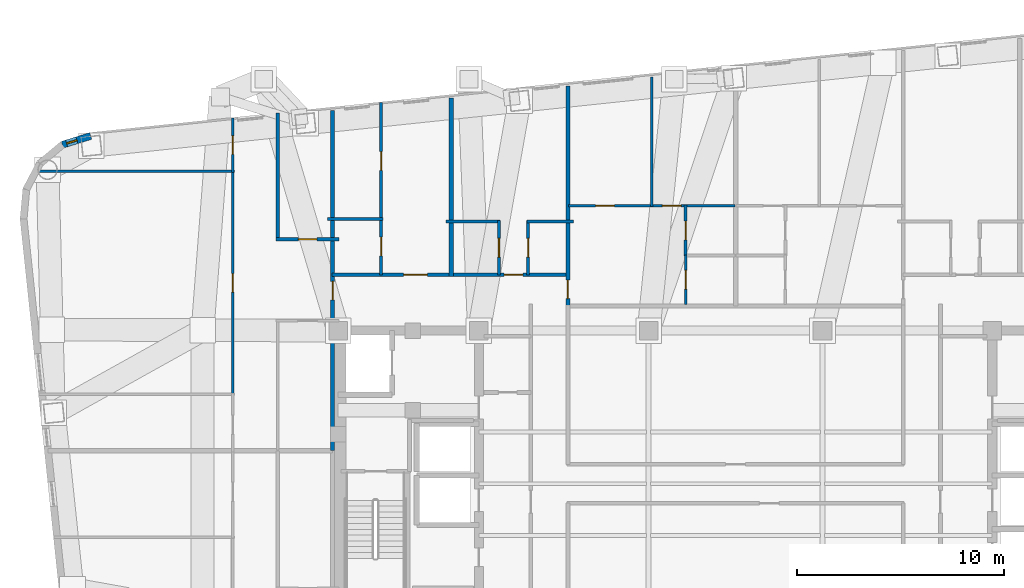
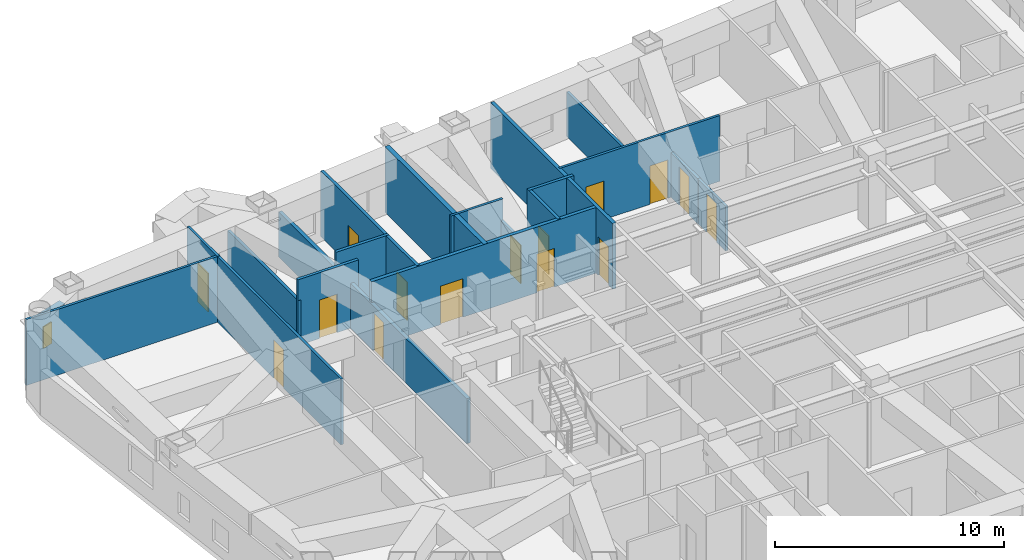
# One storey, part 9 of 13: 21 walls, 15 doors, 1 window, 16 openings.
"""IFC4 building model written with IfcOpenShell, lengths in metres."""

from ifc_helpers import new_model, si_unit, direction, frame, frame_2d, origin, place, context, subcontext, project, spatial, rectangle, extrude, material, layer, layer_set, type_object, element, fill, save


model = new_model("IFC4")

# Units and contexts
model_context = context("Model", 3, precision=1e-05, world=origin(), true_north=direction((0.0, 1.0)))
body_context = subcontext(model_context, "Body", "Model", "MODEL_VIEW")
ifc_project = project(units=[si_unit("LENGTHUNIT", "METRE"), si_unit("AREAUNIT", "SQUARE_METRE"), si_unit("VOLUMEUNIT", "CUBIC_METRE"), si_unit("PLANEANGLEUNIT", "RADIAN"), si_unit("MASSUNIT", "GRAM", prefix="KILO")], contexts=[model_context])

# Site, building, storey
site_placement = place(None, origin())
site = spatial("IfcSite", under=ifc_project, at=site_placement, CompositionType="ELEMENT")
building_placement = place(site_placement, origin())
building = spatial("IfcBuilding", under=site, at=building_placement, Name="Voryun Gate Residences", CompositionType="ELEMENT")
storey_placement = place(building_placement, frame((0.0, 0.0, 191.10009765625)))
storey = spatial("IfcBuildingStorey", under=building, at=storey_placement, Name="L47", CompositionType="ELEMENT", Elevation=191.10009765625)

# Wall, openings, doors
ifc_material_1 = material(Name="Gypsum acoustic fireboard")
ifc_layer_1 = layer(ifc_material_1, 0.179931640625, Name="W_CORR_RATED_180")
ifc_layer_set_1 = layer_set([ifc_layer_1], Name="Gypsum acoustic fireboard")
wall_type_1 = type_object("IfcWallType", Name="W_CORR_RATED_180", PredefinedType="PARTITIONING", material=ifc_layer_set_1)
wall_1_placement = place(storey_placement, frame((-19.5, 10.10009765625, 0.0), z_axis=(0.0, 0.0, 1.0), x_axis=(1.0, 0.0, 0.0)))
wall_1 = element("IfcWall", 1, at=wall_1_placement, inside=storey, type_object=wall_type_1, Name="Partition wall WP-L47-NCORR-W", PredefinedType="PARTITIONING", context=body_context, shape_type="SweptSolid", body=[
    extrude(rectangle(XDim=11.419921875, YDim=0.179931640625, at=frame_2d((5.7099609375, 0.0))), origin(), (0.0, 0.0, 1.0), 3.5),
])
opening_1_placement = place(wall_1_placement, frame((3.46435546875, 0.0, 0.0)))
opening_1 = element("IfcOpeningElement", 2, at=opening_1_placement, cuts=wall_1, Name="Opening D-UNIT-1", PredefinedType="OPENING", context=body_context, shape_type="SweptSolid", body=[
    extrude(rectangle(XDim=1.14990234375, YDim=2.050048828125, at=frame_2d((0.574951171875, 1.02490234375))), frame((0.0, 0.099853515625, 0.0), z_axis=(0.0, -1.0, 0.0), x_axis=(1.0, 0.0, 0.0)), (0.0, 0.0, 1.0), 0.199951171875),
])
opening_2_placement = place(wall_1_placement, frame((8.32275390625, 0.0, 0.0)))
opening_2 = element("IfcOpeningElement", 3, at=opening_2_placement, cuts=wall_1, Name="Opening D-INT-2", PredefinedType="OPENING", context=body_context, shape_type="SweptSolid", body=[
    extrude(rectangle(XDim=0.89990234375, YDim=2.050048828125, at=frame_2d((0.449951171875, 1.02490234375))), frame((0.0, 0.099853515625, 0.0), z_axis=(0.0, -1.0, 0.0), x_axis=(1.0, 0.0, 0.0)), (0.0, 0.0, 1.0), 0.199951171875),
])
ifc_material_2 = material(Name="Architectural oak veneer")
door_type_1 = type_object("IfcDoorType", Name="DR_INT_BATH_900", OperationType="NOTDEFINED", PredefinedType="DOOR", material=ifc_material_2)
door_1_placement = place(opening_2_placement, origin())
door_1 = element("IfcDoor", 4, at=door_1_placement, inside=storey, type_object=door_type_1, Name="Door DR-L47-NENT-2", OperationType="SINGLE_SWING_RIGHT", OverallHeight=2.050048828125, OverallWidth=0.89990234375, PredefinedType="DOOR", context=body_context, shape_type="SweptSolid", body=[
    extrude(rectangle(XDim=0.89990234375, YDim=2.050048828125, at=frame_2d((0.449951171875, 1.02490234375))), frame((0.0, 0.02490234375, 0.0), z_axis=(0.0, -1.0, 0.0), x_axis=(1.0, 0.0, 0.0)), (0.0, 0.0, 1.0), 0.050048828125),
])
fill(opening_2, door_1)
ifc_material_3 = material(Name="Armoured timber-clad fire door", Category="wood")
door_type_2 = type_object("IfcDoorType", Name="DR_UNIT_ENTRY_1150", OperationType="NOTDEFINED", PredefinedType="DOOR", material=ifc_material_3)
door_2_placement = place(opening_1_placement, origin())
door_2 = element("IfcDoor", 5, at=door_2_placement, inside=storey, type_object=door_type_2, Name="Door DR-L47-NENT-1", OperationType="SINGLE_SWING_LEFT", OverallHeight=2.050048828125, OverallWidth=1.14990234375, PredefinedType="DOOR", context=body_context, shape_type="SweptSolid", body=[
    extrude(rectangle(XDim=1.14990234375, YDim=2.050048828125, at=frame_2d((0.574951171875, 1.02490234375))), frame((0.0, 0.02490234375, 0.0), z_axis=(0.0, -1.0, 0.0), x_axis=(1.0, 0.0, 0.0)), (0.0, 0.0, 1.0), 0.050048828125),
])
fill(opening_1, door_2)

# Wall, opening, door
wall_2_placement = place(storey_placement, frame((-8.10009765625, 8.590087890625, 0.0), z_axis=(0.0, 0.0, 1.0), x_axis=(0.0, 1.0, 0.0)))
wall_2 = element("IfcWall", 6, at=wall_2_placement, inside=storey, type_object=wall_type_1, Name="Partition wall WP-L47-NZV-1", PredefinedType="PARTITIONING", context=body_context, shape_type="SweptSolid", body=[
    extrude(rectangle(XDim=10.63623046875, YDim=0.179931640625, at=frame_2d((5.318115234375, 0.0))), origin(), (0.0, 0.0, 1.0), 3.5),
])
opening_3_placement = place(wall_2_placement, frame((0.349853515625, 0.0, 0.0)))
opening_3 = element("IfcOpeningElement", 7, at=opening_3_placement, cuts=wall_2, Name="Opening D-INT-2", PredefinedType="OPENING", context=body_context, shape_type="SweptSolid", body=[
    extrude(rectangle(XDim=0.89990234375, YDim=2.050048828125, at=frame_2d((0.449951171875, 1.02490234375))), frame((0.0, 0.099853515625, 0.0), z_axis=(0.0, -1.0, 0.0), x_axis=(1.0, 0.0, 0.0)), (0.0, 0.0, 1.0), 0.199951171875),
])
door_3_placement = place(opening_3_placement, origin())
door_3 = element("IfcDoor", 8, at=door_3_placement, inside=storey, type_object=door_type_1, Name="Door DR-L47-NZENT-1", OperationType="SINGLE_SWING_LEFT", OverallHeight=2.050048828125, OverallWidth=0.89990234375, PredefinedType="DOOR", context=body_context, shape_type="SweptSolid", body=[
    extrude(rectangle(XDim=0.89990234375, YDim=2.050048828125, at=frame_2d((0.449951171875, 1.02490234375))), frame((0.0, 0.02490234375, 0.0), z_axis=(0.0, -1.0, 0.0), x_axis=(1.0, 0.0, 0.0)), (0.0, 0.0, 1.0), 0.050048828125),
])
fill(opening_3, door_3)

wall_3_placement = place(storey_placement, frame((-19.469970703125, 1.60009765625, 0.0), z_axis=(0.0, 0.0, 1.0), x_axis=(0.0, 1.0, 0.0)))
wall_3 = element("IfcWall", 9, at=wall_3_placement, inside=storey, type_object=wall_type_1, Name="Partition wall WP-L47-WCOR2", PredefinedType="PARTITIONING", context=body_context, shape_type="SweptSolid", body=[
    extrude(rectangle(XDim=16.431396484375, YDim=0.179931640625, at=frame_2d((8.2158203125, 0.0))), origin(), (0.0, 0.0, 1.0), 2.389892578125),
])
opening_4_placement = place(wall_3_placement, frame((7.279296875, 0.0, 0.0)))
opening_4 = element("IfcOpeningElement", 10, at=opening_4_placement, cuts=wall_3, Name="Opening D-INT-2", PredefinedType="OPENING", context=body_context, shape_type="SweptSolid", body=[
    extrude(rectangle(XDim=0.89990234375, YDim=2.050048828125, at=frame_2d((0.449951171875, 1.02490234375))), frame((0.0, 0.099853515625, 0.0), z_axis=(0.0, -1.0, 0.0), x_axis=(1.0, 0.0, 0.0)), (0.0, 0.0, 1.0), 0.199951171875),
])
door_4_placement = place(opening_4_placement, origin())
door_4 = element("IfcDoor", 11, at=door_4_placement, inside=storey, type_object=door_type_1, Name="Door DR-L47-WE2", OperationType="SINGLE_SWING_RIGHT", OverallHeight=2.050048828125, OverallWidth=0.89990234375, PredefinedType="DOOR", context=body_context, shape_type="SweptSolid", body=[
    extrude(rectangle(XDim=0.89990234375, YDim=2.050048828125, at=frame_2d((0.449951171875, 1.02490234375))), frame((0.0, 0.02490234375, 0.0), z_axis=(0.0, -1.0, 0.0), x_axis=(1.0, 0.0, 0.0)), (0.0, 0.0, 1.0), 0.050048828125),
])
fill(opening_4, door_4)

# Wall, opening, window
ifc_material_4 = material(Name="Charcoal terracotta masonry", Category="masonry")
ifc_layer_2 = layer(ifc_material_4, 0.340087890625, Name="W_EXT_TERRACOTTA_340")
ifc_layer_set_2 = layer_set([ifc_layer_2], Name="Charcoal terracotta masonry")
wall_type_2 = type_object("IfcWallType", Name="W_EXT_TERRACOTTA_340", PredefinedType="ELEMENTEDWALL", material=ifc_layer_set_2)
wall_4_placement = place(storey_placement, frame((-32.523193359375, 16.37841796875, 0.0), z_axis=(0.0, 0.0, 1.0), x_axis=(0.9549942197, 0.296624409546, 0.0)))
wall_4 = element("IfcWall", 12, at=wall_4_placement, inside=storey, type_object=wall_type_2, Name="Exterior wall WEXT-L47-10", PredefinedType="ELEMENTEDWALL", context=body_context, shape_type="SweptSolid", body=[
    extrude(rectangle(XDim=1.43212890625, YDim=0.340087890625, at=frame_2d((0.716064453125, 0.0))), origin(), (0.0, 0.0, 1.0), 2.389892578125),
])
opening_5_placement = place(wall_4_placement, frame((0.216064453125, 0.0, 0.550048828125)))
opening_5 = element("IfcOpeningElement", 13, at=opening_5_placement, cuts=wall_4, Name="Opening WN10", PredefinedType="OPENING", context=body_context, shape_type="SweptSolid", body=[
    extrude(rectangle(XDim=0.52001953125, YDim=1.14990234375, at=frame_2d((0.260009765625, 0.574951171875))), frame((0.0, 0.179931640625, 0.0), z_axis=(0.0, -1.0, 0.0), x_axis=(1.0, 0.0, 0.0)), (0.0, 0.0, 1.0), 0.360107421875),
])
ifc_material_5 = material(Name="Laminated low-E glass", Category="glass")
window_type = type_object("IfcWindowType", Name="WN_PAGODA_LANCET_520", PartitioningType="SINGLE_PANEL", PredefinedType="WINDOW", material=ifc_material_5)
window_placement = place(opening_5_placement, origin())
window = element("IfcWindow", 14, at=window_placement, inside=storey, type_object=window_type, Name="Window WN-L47-DWFIX-24", OverallHeight=1.14990234375, OverallWidth=0.52001953125, PartitioningType="SINGLE_PANEL", PredefinedType="WINDOW", context=body_context, shape_type="SweptSolid", body=[
    extrude(rectangle(XDim=0.52001953125, YDim=1.14990234375, at=frame_2d((0.260009765625, 0.574951171875))), frame((0.0, 0.030029296875, 0.0), z_axis=(0.0, -1.0, 0.0), x_axis=(1.0, 0.0, 0.0)), (0.0, 0.0, 1.0), 0.06005859375),
])
fill(opening_5, window)

# Wall
ifc_material_6 = material(Name="Concrete C40/50", Category="concrete")
ifc_layer_3 = layer(ifc_material_6, 0.219970703125, Name="W_PARTY_ACOUSTIC_220")
ifc_layer_set_3 = layer_set([ifc_layer_3], Name="Concrete C40/50")
wall_type_3 = type_object("IfcWallType", Name="W_PARTY_ACOUSTIC_220", PredefinedType="PARTITIONING", material=ifc_layer_set_3)
wall_5_placement = place(storey_placement, frame((-13.739990234375, 10.02001953125, 0.0), z_axis=(0.0, 0.0, 1.0), x_axis=(0.0, 1.0, 0.0)))
element("IfcWall", 15, at=wall_5_placement, inside=storey, type_object=wall_type_3, Name="Partition wall WP-L47-NPTY-1", PredefinedType="PARTITIONING", context=body_context, shape_type="SweptSolid", body=[
    extrude(rectangle(XDim=8.613525390625, YDim=0.219970703125, at=frame_2d((4.306640625, 0.0))), origin(), (0.0, 0.0, 1.0), 3.5),
])

# Wall, opening, door
ifc_material_7 = material(Name="Gypsum acoustic partition")
ifc_layer_4 = layer(ifc_material_7, 0.125, Name="W_UNIT_PART_125")
ifc_layer_set_4 = layer_set([ifc_layer_4], Name="Gypsum acoustic partition")
wall_type_4 = type_object("IfcWallType", Name="W_UNIT_PART_125", PredefinedType="PARTITIONING", material=ifc_layer_set_4)
wall_6_placement = place(storey_placement, frame((-11.429931640625, 10.080078125, 0.0), z_axis=(0.0, 0.0, 1.0), x_axis=(0.0, 1.0, 0.0)))
wall_6 = element("IfcWall", 16, at=wall_6_placement, inside=storey, type_object=wall_type_4, Name="Partition wall WP-L47-N2-CVK", PredefinedType="PARTITIONING", context=body_context, shape_type="SweptSolid", body=[
    extrude(rectangle(XDim=2.64990234375, YDim=0.125, at=frame_2d((1.324951171875, 0.0))), origin(), (0.0, 0.0, 1.0), 2.389892578125),
])
opening_6_placement = place(wall_6_placement, frame((0.875, 0.0, 0.0)))
opening_6 = element("IfcOpeningElement", 17, at=opening_6_placement, cuts=wall_6, Name="Opening D-INT-2", PredefinedType="OPENING", context=body_context, shape_type="SweptSolid", body=[
    extrude(rectangle(XDim=0.89990234375, YDim=2.050048828125, at=frame_2d((0.449951171875, 1.02490234375))), frame((0.0, 0.072509765625, 0.0), z_axis=(0.0, -1.0, 0.0), x_axis=(1.0, 0.0, 0.0)), (0.0, 0.0, 1.0), 0.14501953125),
])
door_5_placement = place(opening_6_placement, origin())
door_5 = element("IfcDoor", 18, at=door_5_placement, inside=storey, type_object=door_type_1, Name="Door DR-L47-N2-DK", OperationType="SINGLE_SWING_LEFT", OverallHeight=2.050048828125, OverallWidth=0.89990234375, PredefinedType="DOOR", context=body_context, shape_type="SweptSolid", body=[
    extrude(rectangle(XDim=0.89990234375, YDim=2.050048828125, at=frame_2d((0.449951171875, 1.02490234375))), frame((0.0, 0.02490234375, 0.0), z_axis=(0.0, -1.0, 0.0), x_axis=(1.0, 0.0, 0.0)), (0.0, 0.0, 1.0), 0.050048828125),
])
fill(opening_6, door_5)

# Wall
wall_7_placement = place(storey_placement, frame((-14.0, 12.669921875, 0.0), z_axis=(0.0, 0.0, 1.0), x_axis=(1.0, 0.0, 0.0)))
element("IfcWall", 19, at=wall_7_placement, inside=storey, type_object=wall_type_4, Name="Partition wall WP-L47-N2-CHK", PredefinedType="PARTITIONING", context=body_context, shape_type="SweptSolid", body=[
    extrude(rectangle(XDim=2.6298828125, YDim=0.125, at=frame_2d((1.31494140625, 0.0))), origin(), (0.0, 0.0, 1.0), 3.5),
])

# Wall, openings, doors
wall_8_placement = place(storey_placement, frame((-8.080078125, 13.429931640625, 0.0), z_axis=(0.0, 0.0, 1.0), x_axis=(1.0, 0.0, 0.0)))
wall_8 = element("IfcWall", 20, at=wall_8_placement, inside=storey, type_object=wall_type_4, Name="Partition wall WP-L47-NC1-HZ", PredefinedType="PARTITIONING", context=body_context, shape_type="SweptSolid", body=[
    extrude(rectangle(XDim=8.06005859375, YDim=0.125, at=frame_2d((4.030029296875, 0.0))), origin(), (0.0, 0.0, 1.0), 3.5),
])
opening_7_placement = place(wall_8_placement, frame((1.3232421875, 0.0, 0.0)))
opening_7 = element("IfcOpeningElement", 21, at=opening_7_placement, cuts=wall_8, Name="Opening D-INT-2", PredefinedType="OPENING", context=body_context, shape_type="SweptSolid", body=[
    extrude(rectangle(XDim=0.89990234375, YDim=2.050048828125, at=frame_2d((0.449951171875, 1.02490234375))), frame((0.0, 0.072509765625, 0.0), z_axis=(0.0, -1.0, 0.0), x_axis=(1.0, 0.0, 0.0)), (0.0, 0.0, 1.0), 0.14501953125),
])
opening_8_placement = place(wall_8_placement, frame((4.547119140625, 0.0, 0.0)))
opening_8 = element("IfcOpeningElement", 22, at=opening_8_placement, cuts=wall_8, Name="Opening D-INT-2", PredefinedType="OPENING", context=body_context, shape_type="SweptSolid", body=[
    extrude(rectangle(XDim=0.89990234375, YDim=2.050048828125, at=frame_2d((0.449951171875, 1.02490234375))), frame((0.0, 0.072509765625, 0.0), z_axis=(0.0, -1.0, 0.0), x_axis=(1.0, 0.0, 0.0)), (0.0, 0.0, 1.0), 0.14501953125),
])
door_6_placement = place(opening_7_placement, origin())
door_6 = element("IfcDoor", 23, at=door_6_placement, inside=storey, type_object=door_type_1, Name="Door DR-L47-NC1-DMB", OperationType="SINGLE_SWING_LEFT", OverallHeight=2.050048828125, OverallWidth=0.89990234375, PredefinedType="DOOR", context=body_context, shape_type="SweptSolid", body=[
    extrude(rectangle(XDim=0.89990234375, YDim=2.050048828125, at=frame_2d((0.449951171875, 1.02490234375))), frame((0.0, 0.02490234375, 0.0), z_axis=(0.0, -1.0, 0.0), x_axis=(1.0, 0.0, 0.0)), (0.0, 0.0, 1.0), 0.050048828125),
])
fill(opening_7, door_6)
door_7_placement = place(opening_8_placement, origin())
door_7 = element("IfcDoor", 24, at=door_7_placement, inside=storey, type_object=door_type_1, Name="Door DR-L47-NC1-DBD2", OperationType="SINGLE_SWING_RIGHT", OverallHeight=2.050048828125, OverallWidth=0.89990234375, PredefinedType="DOOR", context=body_context, shape_type="SweptSolid", body=[
    extrude(rectangle(XDim=0.89990234375, YDim=2.050048828125, at=frame_2d((0.449951171875, 1.02490234375))), frame((0.0, 0.02490234375, 0.0), z_axis=(0.0, -1.0, 0.0), x_axis=(1.0, 0.0, 0.0)), (0.0, 0.0, 1.0), 0.050048828125),
])
fill(opening_8, door_7)

# Wall, opening, door
wall_9_placement = place(storey_placement, frame((-2.409912109375, 8.64990234375, 0.0), z_axis=(0.0, 0.0, 1.0), x_axis=(0.0, 1.0, 0.0)))
wall_9 = element("IfcWall", 25, at=wall_9_placement, inside=storey, type_object=wall_type_4, Name="Partition wall WP-L47-NC1-VK1", PredefinedType="PARTITIONING", context=body_context, shape_type="SweptSolid", body=[
    extrude(rectangle(XDim=2.41015625, YDim=0.125, at=frame_2d((1.205078125, 0.0))), origin(), (0.0, 0.0, 1.0), 2.389892578125),
])
opening_9_placement = place(wall_9_placement, frame((0.7548828125, 0.0, 0.0)))
opening_9 = element("IfcOpeningElement", 26, at=opening_9_placement, cuts=wall_9, Name="Opening D-INT-2", PredefinedType="OPENING", context=body_context, shape_type="SweptSolid", body=[
    extrude(rectangle(XDim=0.89990234375, YDim=2.050048828125, at=frame_2d((0.449951171875, 1.02490234375))), frame((0.0, 0.072509765625, 0.0), z_axis=(0.0, -1.0, 0.0), x_axis=(1.0, 0.0, 0.0)), (0.0, 0.0, 1.0), 0.14501953125),
])
door_8_placement = place(opening_9_placement, origin())
door_8 = element("IfcDoor", 27, at=door_8_placement, inside=storey, type_object=door_type_1, Name="Door DR-L47-NC1-DK", OperationType="SINGLE_SWING_LEFT", OverallHeight=2.050048828125, OverallWidth=0.89990234375, PredefinedType="DOOR", context=body_context, shape_type="SweptSolid", body=[
    extrude(rectangle(XDim=0.89990234375, YDim=2.050048828125, at=frame_2d((0.449951171875, 1.02490234375))), frame((0.0, 0.02490234375, 0.0), z_axis=(0.0, -1.0, 0.0), x_axis=(1.0, 0.0, 0.0)), (0.0, 0.0, 1.0), 0.050048828125),
])
fill(opening_9, door_8)

# Walls
wall_10_placement = place(storey_placement, frame((-4.050048828125, 13.389892578125, 0.0), z_axis=(0.0, 0.0, 1.0), x_axis=(0.0, 1.0, 0.0)))
element("IfcWall", 28, at=wall_10_placement, inside=storey, type_object=wall_type_4, Name="Partition wall WP-L47-NC1-VBD", PredefinedType="PARTITIONING", context=body_context, shape_type="SweptSolid", body=[
    extrude(rectangle(XDim=6.26220703125, YDim=0.125, at=frame_2d((3.131103515625, 0.0))), origin(), (0.0, 0.0, 1.0), 2.389892578125),
])
wall_11_placement = place(storey_placement, frame((-33.978271484375, 15.097900390625, 0.0), z_axis=(0.0, 0.0, 1.0), x_axis=(1.0, 0.0, 0.0)))
element("IfcWall", 29, at=wall_11_placement, inside=storey, type_object=wall_type_4, Name="Partition wall WP-L47-W2-OH2", PredefinedType="PARTITIONING", context=body_context, shape_type="SweptSolid", body=[
    extrude(rectangle(XDim=9.75830078125, YDim=0.125, at=frame_2d((4.879150390625, 0.0))), origin(), (0.0, 0.0, 1.0), 3.5),
])

# Wall, opening, door
wall_12_placement = place(storey_placement, frame((-24.300048828125, 4.264892578125, 0.0), z_axis=(0.0, 0.0, 1.0), x_axis=(0.0, 1.0, 0.0)))
wall_12 = element("IfcWall", 30, at=wall_12_placement, inside=storey, type_object=wall_type_4, Name="Partition wall WP-L47-W2-OVX2", PredefinedType="PARTITIONING", context=body_context, shape_type="SweptSolid", body=[
    extrude(rectangle(XDim=10.883056640625, YDim=0.125, at=frame_2d((5.44140625, 0.0))), origin(), (0.0, 0.0, 1.0), 3.5),
])
opening_10_placement = place(wall_12_placement, frame((4.991455078125, 0.0, 0.0)))
opening_10 = element("IfcOpeningElement", 31, at=opening_10_placement, cuts=wall_12, Name="Opening D-INT-2", PredefinedType="OPENING", context=body_context, shape_type="SweptSolid", body=[
    extrude(rectangle(XDim=0.89990234375, YDim=2.050048828125, at=frame_2d((0.449951171875, 1.02490234375))), frame((0.0, 0.072509765625, 0.0), z_axis=(0.0, -1.0, 0.0), x_axis=(1.0, 0.0, 0.0)), (0.0, 0.0, 1.0), 0.14501953125),
])
door_9_placement = place(opening_10_placement, origin())
door_9 = element("IfcDoor", 32, at=door_9_placement, inside=storey, type_object=door_type_1, Name="Door DR-L47-W2-DSTD", OperationType="SINGLE_SWING_RIGHT", OverallHeight=2.050048828125, OverallWidth=0.89990234375, PredefinedType="DOOR", context=body_context, shape_type="SweptSolid", body=[
    extrude(rectangle(XDim=0.89990234375, YDim=2.050048828125, at=frame_2d((0.449951171875, 1.02490234375))), frame((0.0, 0.02490234375, 0.0), z_axis=(0.0, -1.0, 0.0), x_axis=(1.0, 0.0, 0.0)), (0.0, 0.0, 1.0), 0.050048828125),
])
fill(opening_10, door_9)

wall_13_placement = place(storey_placement, frame((-24.300048828125, 15.048095703125, 0.0), z_axis=(0.0, 0.0, 1.0), x_axis=(0.0, 1.0, 0.0)))
wall_13 = element("IfcWall", 33, at=wall_13_placement, inside=storey, type_object=wall_type_4, Name="Partition wall WP-L47-W2-OVX3", PredefinedType="PARTITIONING", context=body_context, shape_type="SweptSolid", body=[
    extrude(rectangle(XDim=2.62646484375, YDim=0.125, at=frame_2d((1.313232421875, 0.0))), origin(), (0.0, 0.0, 1.0), 3.5),
])
opening_11_placement = place(wall_13_placement, frame((0.86328125, 0.0, 0.0)))
opening_11 = element("IfcOpeningElement", 34, at=opening_11_placement, cuts=wall_13, Name="Opening D-INT-2", PredefinedType="OPENING", context=body_context, shape_type="SweptSolid", body=[
    extrude(rectangle(XDim=0.89990234375, YDim=2.050048828125, at=frame_2d((0.449951171875, 1.02490234375))), frame((0.0, 0.072509765625, 0.0), z_axis=(0.0, -1.0, 0.0), x_axis=(1.0, 0.0, 0.0)), (0.0, 0.0, 1.0), 0.14501953125),
])
door_10_placement = place(opening_11_placement, origin())
door_10 = element("IfcDoor", 35, at=door_10_placement, inside=storey, type_object=door_type_1, Name="Door DR-L47-W2-DMB", OperationType="SINGLE_SWING_LEFT", OverallHeight=2.050048828125, OverallWidth=0.89990234375, PredefinedType="DOOR", context=body_context, shape_type="SweptSolid", body=[
    extrude(rectangle(XDim=0.89990234375, YDim=2.050048828125, at=frame_2d((0.449951171875, 1.02490234375))), frame((0.0, 0.02490234375, 0.0), z_axis=(0.0, -1.0, 0.0), x_axis=(1.0, 0.0, 0.0)), (0.0, 0.0, 1.0), 0.050048828125),
])
fill(opening_11, door_10)

# Wall
ifc_material_8 = material(Name="Gypsum moisture-resistant partition")
ifc_layer_5 = layer(ifc_material_8, 0.14990234375, Name="W_WET_PLUMB_150")
ifc_layer_set_5 = layer_set([ifc_layer_5], Name="Gypsum moisture-resistant partition")
wall_type_5 = type_object("IfcWallType", Name="W_WET_PLUMB_150", PredefinedType="PLUMBINGWALL", material=ifc_layer_set_5)
wall_14_placement = place(storey_placement, frame((-19.719970703125, 12.800048828125, 0.0), z_axis=(0.0, 0.0, 1.0), x_axis=(1.0, 0.0, 0.0)))
element("IfcWall", 36, at=wall_14_placement, inside=storey, type_object=wall_type_5, Name="Partition wall WP-L47-N1-SKB", PredefinedType="PLUMBINGWALL", context=body_context, shape_type="SweptSolid", body=[
    extrude(rectangle(XDim=2.678955078125, YDim=0.14990234375, at=frame_2d((1.33935546875, 0.0))), origin(), (0.0, 0.0, 1.0), 3.5),
])

# Wall, opening, door
wall_15_placement = place(storey_placement, frame((-17.12109375, 10.080078125, 0.0), z_axis=(0.0, 0.0, 1.0), x_axis=(0.0, 1.0, 0.0)))
wall_15 = element("IfcWall", 37, at=wall_15_placement, inside=storey, type_object=wall_type_5, Name="Partition wall WP-L47-N1-SVT1", PredefinedType="PLUMBINGWALL", context=body_context, shape_type="SweptSolid", body=[
    extrude(rectangle(XDim=2.760009765625, YDim=0.14990234375, at=frame_2d((1.3798828125, 0.0))), origin(), (0.0, 0.0, 1.0), 3.5),
])
opening_12_placement = place(wall_15_placement, frame((0.929931640625, 0.0, 0.0)))
opening_12 = element("IfcOpeningElement", 38, at=opening_12_placement, cuts=wall_15, Name="Opening D-INT-2", PredefinedType="OPENING", context=body_context, shape_type="SweptSolid", body=[
    extrude(rectangle(XDim=0.89990234375, YDim=2.050048828125, at=frame_2d((0.449951171875, 1.02490234375))), frame((0.0, 0.0849609375, 0.0), z_axis=(0.0, -1.0, 0.0), x_axis=(1.0, 0.0, 0.0)), (0.0, 0.0, 1.0), 0.169921875),
])
door_11_placement = place(opening_12_placement, origin())
door_11 = element("IfcDoor", 39, at=door_11_placement, inside=storey, type_object=door_type_1, Name="Door DR-L47-N1-DB", OperationType="SINGLE_SWING_LEFT", OverallHeight=2.050048828125, OverallWidth=0.89990234375, PredefinedType="DOOR", context=body_context, shape_type="SweptSolid", body=[
    extrude(rectangle(XDim=0.89990234375, YDim=2.050048828125, at=frame_2d((0.449951171875, 1.02490234375))), frame((0.0, 0.02490234375, 0.0), z_axis=(0.0, -1.0, 0.0), x_axis=(1.0, 0.0, 0.0)), (0.0, 0.0, 1.0), 0.050048828125),
])
fill(opening_12, door_11)

wall_16_placement = place(storey_placement, frame((-17.12109375, 12.760009765625, 0.0), z_axis=(0.0, 0.0, 1.0), x_axis=(0.0, 1.0, 0.0)))
wall_16 = element("IfcWall", 40, at=wall_16_placement, inside=storey, type_object=wall_type_5, Name="Partition wall WP-L47-N1-SVT2", PredefinedType="PLUMBINGWALL", context=body_context, shape_type="SweptSolid", body=[
    extrude(rectangle(XDim=5.669189453125, YDim=0.14990234375, at=frame_2d((2.83447265625, 0.0))), origin(), (0.0, 0.0, 1.0), 3.5),
])
opening_13_placement = place(wall_16_placement, frame((2.384521484375, 0.0, 0.0)))
opening_13 = element("IfcOpeningElement", 41, at=opening_13_placement, cuts=wall_16, Name="Opening D-INT-2", PredefinedType="OPENING", context=body_context, shape_type="SweptSolid", body=[
    extrude(rectangle(XDim=0.89990234375, YDim=2.050048828125, at=frame_2d((0.449951171875, 1.02490234375))), frame((0.0, 0.0849609375, 0.0), z_axis=(0.0, -1.0, 0.0), x_axis=(1.0, 0.0, 0.0)), (0.0, 0.0, 1.0), 0.169921875),
])
door_12_placement = place(opening_13_placement, origin())
door_12 = element("IfcDoor", 42, at=door_12_placement, inside=storey, type_object=door_type_1, Name="Door DR-L47-N1-DK", OperationType="SINGLE_SWING_RIGHT", OverallHeight=2.050048828125, OverallWidth=0.89990234375, PredefinedType="DOOR", context=body_context, shape_type="SweptSolid", body=[
    extrude(rectangle(XDim=0.89990234375, YDim=2.050048828125, at=frame_2d((0.449951171875, 1.02490234375))), frame((0.0, 0.02490234375, 0.0), z_axis=(0.0, -1.0, 0.0), x_axis=(1.0, 0.0, 0.0)), (0.0, 0.0, 1.0), 0.050048828125),
])
fill(opening_13, door_12)

wall_17_placement = place(storey_placement, frame((-10.02392578125, 10.080078125, 0.0), z_axis=(0.0, 0.0, 1.0), x_axis=(0.0, 1.0, 0.0)))
wall_17 = element("IfcWall", 43, at=wall_17_placement, inside=storey, type_object=wall_type_5, Name="Partition wall WP-L47-N2-CVB", PredefinedType="PLUMBINGWALL", context=body_context, shape_type="SweptSolid", body=[
    extrude(rectangle(XDim=2.64990234375, YDim=0.14990234375, at=frame_2d((1.324951171875, 0.0))), origin(), (0.0, 0.0, 1.0), 3.5),
])
opening_14_placement = place(wall_17_placement, frame((0.875, 0.0, 0.0)))
opening_14 = element("IfcOpeningElement", 44, at=opening_14_placement, cuts=wall_17, Name="Opening D-INT-2", PredefinedType="OPENING", context=body_context, shape_type="SweptSolid", body=[
    extrude(rectangle(XDim=0.89990234375, YDim=2.050048828125, at=frame_2d((0.449951171875, 1.02490234375))), frame((0.0, 0.0849609375, 0.0), z_axis=(0.0, -1.0, 0.0), x_axis=(1.0, 0.0, 0.0)), (0.0, 0.0, 1.0), 0.169921875),
])
door_13_placement = place(opening_14_placement, origin())
door_13 = element("IfcDoor", 45, at=door_13_placement, inside=storey, type_object=door_type_1, Name="Door DR-L47-N2-DB", OperationType="SINGLE_SWING_RIGHT", OverallHeight=2.050048828125, OverallWidth=0.89990234375, PredefinedType="DOOR", context=body_context, shape_type="SweptSolid", body=[
    extrude(rectangle(XDim=0.89990234375, YDim=2.050048828125, at=frame_2d((0.449951171875, 1.02490234375))), frame((0.0, 0.02490234375, 0.0), z_axis=(0.0, -1.0, 0.0), x_axis=(1.0, 0.0, 0.0)), (0.0, 0.0, 1.0), 0.050048828125),
])
fill(opening_14, door_13)

# Wall
wall_18_placement = place(storey_placement, frame((-10.083984375, 12.669921875, 0.0), z_axis=(0.0, 0.0, 1.0), x_axis=(1.0, 0.0, 0.0)))
element("IfcWall", 46, at=wall_18_placement, inside=storey, type_object=wall_type_5, Name="Partition wall WP-L47-N2-CHB", PredefinedType="PLUMBINGWALL", context=body_context, shape_type="SweptSolid", body=[
    extrude(rectangle(XDim=2.263916015625, YDim=0.14990234375, at=frame_2d((1.1318359375, 0.0))), origin(), (0.0, 0.0, 1.0), 3.5),
])

# Wall, opening, door
wall_19_placement = place(storey_placement, frame((-2.409912109375, 11.0, 0.0), z_axis=(0.0, 0.0, 1.0), x_axis=(0.0, 1.0, 0.0)))
wall_19 = element("IfcWall", 47, at=wall_19_placement, inside=storey, type_object=wall_type_5, Name="Partition wall WP-L47-NC1-VK2", PredefinedType="PLUMBINGWALL", context=body_context, shape_type="SweptSolid", body=[
    extrude(rectangle(XDim=2.469970703125, YDim=0.14990234375, at=frame_2d((1.23486328125, 0.0))), origin(), (0.0, 0.0, 1.0), 2.389892578125),
])
opening_15_placement = place(wall_19_placement, frame((0.784912109375, 0.0, 0.0)))
opening_15 = element("IfcOpeningElement", 48, at=opening_15_placement, cuts=wall_19, Name="Opening D-INT-2", PredefinedType="OPENING", context=body_context, shape_type="SweptSolid", body=[
    extrude(rectangle(XDim=0.89990234375, YDim=2.050048828125, at=frame_2d((0.449951171875, 1.02490234375))), frame((0.0, 0.0849609375, 0.0), z_axis=(0.0, -1.0, 0.0), x_axis=(1.0, 0.0, 0.0)), (0.0, 0.0, 1.0), 0.169921875),
])
door_14_placement = place(opening_15_placement, origin())
door_14 = element("IfcDoor", 49, at=door_14_placement, inside=storey, type_object=door_type_1, Name="Door DR-L47-NC1-DB", OperationType="SINGLE_SWING_RIGHT", OverallHeight=2.050048828125, OverallWidth=0.89990234375, PredefinedType="DOOR", context=body_context, shape_type="SweptSolid", body=[
    extrude(rectangle(XDim=0.89990234375, YDim=2.050048828125, at=frame_2d((0.449951171875, 1.02490234375))), frame((0.0, 0.02490234375, 0.0), z_axis=(0.0, -1.0, 0.0), x_axis=(1.0, 0.0, 0.0)), (0.0, 0.0, 1.0), 0.050048828125),
])
fill(opening_15, door_14)

wall_20_placement = place(storey_placement, frame((-22.199951171875, 11.81396484375, 0.0), z_axis=(0.0, 0.0, 1.0), x_axis=(1.0, 0.0, 0.0)))
wall_20 = element("IfcWall", 50, at=wall_20_placement, inside=storey, type_object=wall_type_5, Name="Partition wall WP-L47-W2-IBB", PredefinedType="PLUMBINGWALL", context=body_context, shape_type="SweptSolid", body=[
    extrude(rectangle(XDim=3.050048828125, YDim=0.14990234375, at=frame_2d((1.52490234375, 0.0))), origin(), (0.0, 0.0, 1.0), 3.5),
])
opening_16_placement = place(wall_20_placement, frame((1.074951171875, 0.0, 0.0)))
opening_16 = element("IfcOpeningElement", 51, at=opening_16_placement, cuts=wall_20, Name="Opening D-INT-2", PredefinedType="OPENING", context=body_context, shape_type="SweptSolid", body=[
    extrude(rectangle(XDim=0.89990234375, YDim=2.050048828125, at=frame_2d((0.449951171875, 1.02490234375))), frame((0.0, 0.0849609375, 0.0), z_axis=(0.0, -1.0, 0.0), x_axis=(1.0, 0.0, 0.0)), (0.0, 0.0, 1.0), 0.169921875),
])
door_15_placement = place(opening_16_placement, origin())
door_15 = element("IfcDoor", 52, at=door_15_placement, inside=storey, type_object=door_type_1, Name="Door DR-L47-W2-DB", OperationType="SINGLE_SWING_RIGHT", OverallHeight=2.050048828125, OverallWidth=0.89990234375, PredefinedType="DOOR", context=body_context, shape_type="SweptSolid", body=[
    extrude(rectangle(XDim=0.89990234375, YDim=2.050048828125, at=frame_2d((0.449951171875, 1.02490234375))), frame((0.0, 0.02490234375, 0.0), z_axis=(0.0, -1.0, 0.0), x_axis=(1.0, 0.0, 0.0)), (0.0, 0.0, 1.0), 0.050048828125),
])
fill(opening_16, door_15)

# Wall
wall_21_placement = place(storey_placement, frame((-22.1201171875, 11.73388671875, 0.0), z_axis=(0.0, 0.0, 1.0), x_axis=(0.0, 1.0, 0.0)))
element("IfcWall", 53, at=wall_21_placement, inside=storey, type_object=wall_type_5, Name="Partition wall WP-L47-W2-VTB", PredefinedType="PLUMBINGWALL", context=body_context, shape_type="SweptSolid", body=[
    extrude(rectangle(XDim=6.169921875, YDim=0.14990234375, at=frame_2d((3.0849609375, 0.0))), origin(), (0.0, 0.0, 1.0), 2.389892578125),
])

save(model, "model.ifc")
